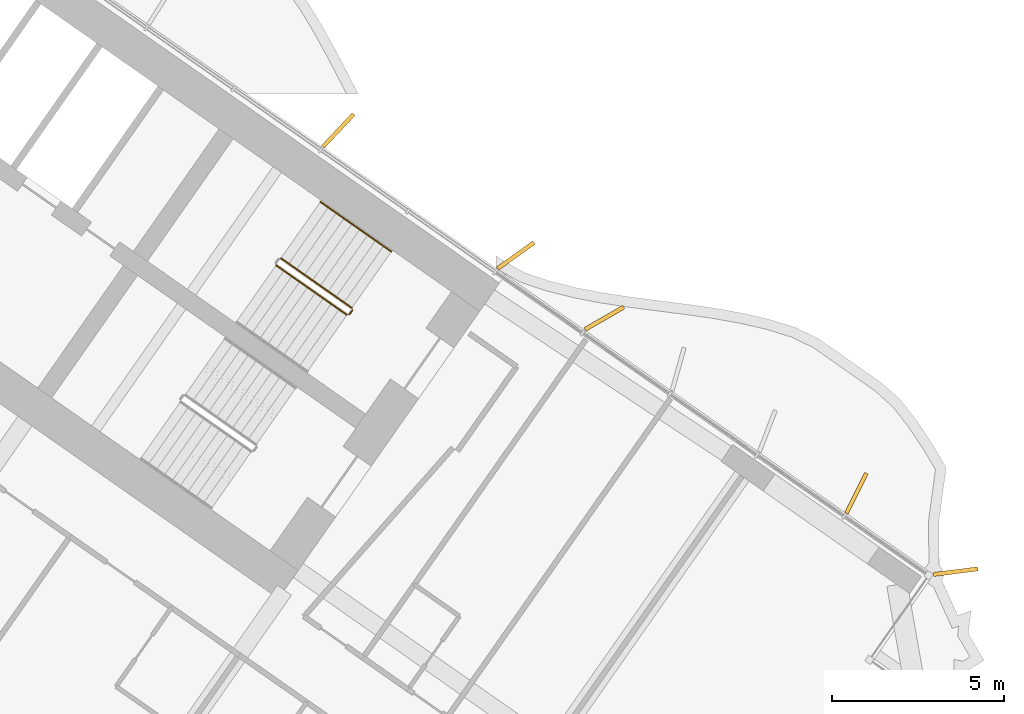
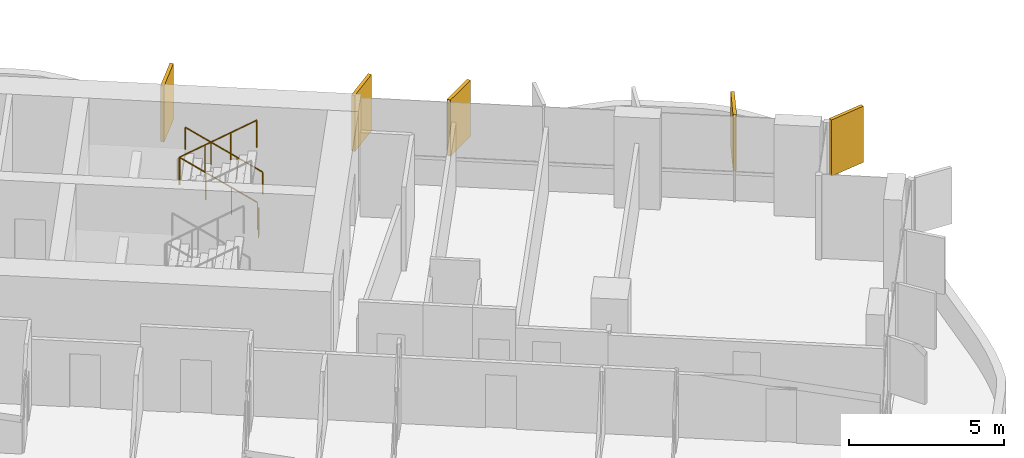
# One storey, part 23 of 23: 5 shading devices, 4 railings.
"""IFC4 building model written with IfcOpenShell, lengths in metres."""

from ifc_helpers import new_model, si_unit, direction, frame, origin, origin_2d, place, context, subcontext, project, spatial, rectangle, circle, extrude, material, layer, layer_set, type_object, element, save


model = new_model("IFC4")

# Units and contexts
model_context = context("Model", 3, precision=1e-05, world=origin(), true_north=direction((0.0, 1.0)))
body_context = subcontext(model_context, "Body", "Model", "MODEL_VIEW")
ifc_project = project(units=[si_unit("LENGTHUNIT", "METRE"), si_unit("AREAUNIT", "SQUARE_METRE"), si_unit("VOLUMEUNIT", "CUBIC_METRE"), si_unit("PLANEANGLEUNIT", "RADIAN"), si_unit("MASSUNIT", "GRAM", prefix="KILO")], contexts=[model_context])

# Site, building, storey
site_placement = place(None, origin())
site = spatial("IfcSite", under=ifc_project, at=site_placement, CompositionType="ELEMENT")
building_placement = place(site_placement, origin())
building = spatial("IfcBuilding", under=site, at=building_placement, Name="Tel Ilan Convention Tower", CompositionType="ELEMENT")
storey_placement = place(building_placement, frame((0.0, 0.0, 108.5)))
storey = spatial("IfcBuildingStorey", under=building, at=storey_placement, Name="L23", CompositionType="ELEMENT", Elevation=108.5)

# Shading devices
ifc_material_1 = material(Name="Aluminium, bronze anodised", Category="aluminium")
ifc_layer = layer(ifc_material_1, 0.1201171875)
ifc_layer_set = layer_set([ifc_layer], Name="FIN BRONZE 1300x120")
shading_device_type = type_object("IfcShadingDeviceType", Name="FIN BRONZE 1300x120", PredefinedType="USERDEFINED", material=ifc_layer_set)
for number, where, z_axis, x_axis, name in (
    (1, (28.446044921875, -6.328125, 1.10009765625), (0.0, 0.0, 1.0), (0.813552070258, 0.581492071294, 0.0), "FIN"),
    (2, (23.282958984375, -2.689697265625, 1.10009765625), (0.0, 0.0, 1.0), (0.686241637865, 0.727373641577, 0.0), "FIN"),
    (3, (41.238037109375, -15.521728515625, 1.10009765625), (0.0, 0.0, 1.0), (0.992066016082, 0.125718016748, 0.0), "FIN"),
    (4, (38.350341796875, -13.239990234375, 1.10009765625), (0.0, 0.0, 1.0), (0.448799180206, 0.893632640321, 0.0), "FIN"),
    (5, (31.020263671875, -8.153076171875, 1.10009765625), (0.0, 0.0, 1.0), (0.866025403784, 0.5, 0.0), "FIN"),
):
    element("IfcShadingDevice", number, at=place(storey_placement, frame(where, z_axis=z_axis, x_axis=x_axis)), inside=storey, type_object=shading_device_type, Name=name, ObjectType="FIN", PredefinedType="USERDEFINED", context=body_context, shape_type="SweptSolid", body=[
        extrude(rectangle(XDim=1.300048828125, YDim=0.1201171875, at=origin_2d()), origin(), (0.0, 0.0, 1.0), 2.219970703125),
    ])

# Railings
ifc_material_2 = material(Name="Stainless Steel Grade 316", Category="steel")
railing_type_1 = type_object("IfcRailingType", Name="Stainless Steel Stair Guard 1100 mm", PredefinedType="GUARDRAIL", material=ifc_material_2)
railing_1_placement = place(storey_placement, frame((23.6787109375, -7.8515625, 0.179931640625)))
element("IfcRailing", 6, at=railing_1_placement, inside=storey, type_object=railing_type_1, Name="L23 S3 stair guard 1", PredefinedType="GUARDRAIL", context=body_context, shape_type="SweptSolid", body=[
    extrude(circle(Radius=0.02392578125, at=origin_2d()), frame((0.0, 0.0, 1.076171875), z_axis=(-0.689013013563, 0.482512838948, 0.540779462804), x_axis=(-0.573624882958, -0.819118119475, 0.0)), (0.0, 0.0, 1.0), 2.995849609375),
    extrude(circle(Radius=0.02099609375, at=origin_2d()), origin(), (0.0, 0.0, 1.0), 1.052001953125),
    extrude(circle(Radius=0.02099609375, at=origin_2d()), frame((-0.68798828125, 0.48193359375, 0.5400390625)), (0.0, 0.0, 1.0), 1.052001953125),
    extrude(circle(Radius=0.02099609375, at=origin_2d()), frame((-1.376220703125, 0.963623046875, 1.080078125)), (0.0, 0.0, 1.0), 1.052001953125),
    extrude(circle(Radius=0.02099609375, at=origin_2d()), frame((-2.064208984375, 1.445556640625, 1.6201171875)), (0.0, 0.0, 1.0), 1.052001953125),
])
railing_2_placement = place(storey_placement, frame((21.47119140625, -6.61083984375, 1.97998046875)))
element("IfcRailing", 7, at=railing_2_placement, inside=storey, type_object=railing_type_1, Name="L23 S3 stair guard 3", PredefinedType="GUARDRAIL", context=body_context, shape_type="SweptSolid", body=[
    extrude(circle(Radius=0.02392578125, at=origin_2d()), frame((0.0, 0.0, 1.076171875), z_axis=(0.689013013563, -0.482512838948, 0.540779462804), x_axis=(0.573624882958, 0.819118119475, 0.0)), (0.0, 0.0, 1.0), 2.995849609375),
    extrude(circle(Radius=0.02099609375, at=origin_2d()), origin(), (0.0, 0.0, 1.0), 1.052001953125),
    extrude(circle(Radius=0.02099609375, at=origin_2d()), frame((0.68798828125, -0.48193359375, 0.5400390625)), (0.0, 0.0, 1.0), 1.052001953125),
    extrude(circle(Radius=0.02099609375, at=origin_2d()), frame((1.376220703125, -0.963623046875, 1.080078125)), (0.0, 0.0, 1.0), 1.052001953125),
    extrude(circle(Radius=0.02099609375, at=origin_2d()), frame((2.064208984375, -1.445556640625, 1.6201171875)), (0.0, 0.0, 1.0), 1.052001953125),
])
railing_3_placement = place(storey_placement, frame((23.691162109375, -7.921142578125, 0.0)))
element("IfcRailing", 8, at=railing_3_placement, inside=storey, type_object=railing_type_1, Name="L23 S3 stair guard 4", PredefinedType="GUARDRAIL", context=body_context, shape_type="SweptSolid", body=[
    extrude(circle(Radius=0.02392578125, at=origin_2d()), frame((0.0, 0.0, 1.076171875), z_axis=(-0.574444878118, -0.818543268254, 0.0), x_axis=(0.818543268254, -0.574444878118, 0.0)), (0.0, 0.0, 1.0), 0.150146484375),
    extrude(circle(Radius=0.02099609375, at=origin_2d()), origin(), (0.0, 0.0, 1.0), 1.052001953125),
    extrude(circle(Radius=0.02099609375, at=origin_2d()), frame((-0.086181640625, -0.122802734375, 0.0)), (0.0, 0.0, 1.0), 1.052001953125),
])
ifc_material_3 = material(Name="Stainless Steel Grade 316", Category="steel")
railing_type_2 = type_object("IfcRailingType", Name="Stainless Steel Stair Handrail 900 mm", PredefinedType="HANDRAIL", material=ifc_material_3)
railing_4_placement = place(storey_placement, frame((24.825927734375, -6.213134765625, 0.179931640625)))
element("IfcRailing", 9, at=railing_4_placement, inside=storey, type_object=railing_type_2, Name="L23 S3 stair handrail 1", PredefinedType="HANDRAIL", context=body_context, shape_type="SweptSolid", body=[
    extrude(circle(Radius=0.02392578125, at=origin_2d()), frame((0.0, 0.0, 0.8759765625), z_axis=(-0.689040105437, 0.482450316285, 0.54080072616), x_axis=(-0.573559875649, -0.819163639968, 0.0)), (0.0, 0.0, 1.0), 2.995849609375),
    extrude(circle(Radius=0.02099609375, at=origin_2d()), origin(), (0.0, 0.0, 1.0), 0.851806640625),
    extrude(circle(Radius=0.02099609375, at=origin_2d()), frame((-0.68798828125, 0.481689453125, 0.5400390625)), (0.0, 0.0, 1.0), 0.851806640625),
    extrude(circle(Radius=0.02099609375, at=origin_2d()), frame((-1.376220703125, 0.963623046875, 1.080078125)), (0.0, 0.0, 1.0), 0.851806640625),
    extrude(circle(Radius=0.02099609375, at=origin_2d()), frame((-2.064208984375, 1.4453125, 1.6201171875)), (0.0, 0.0, 1.0), 0.851806640625),
])

save(model, "model.ifc")
